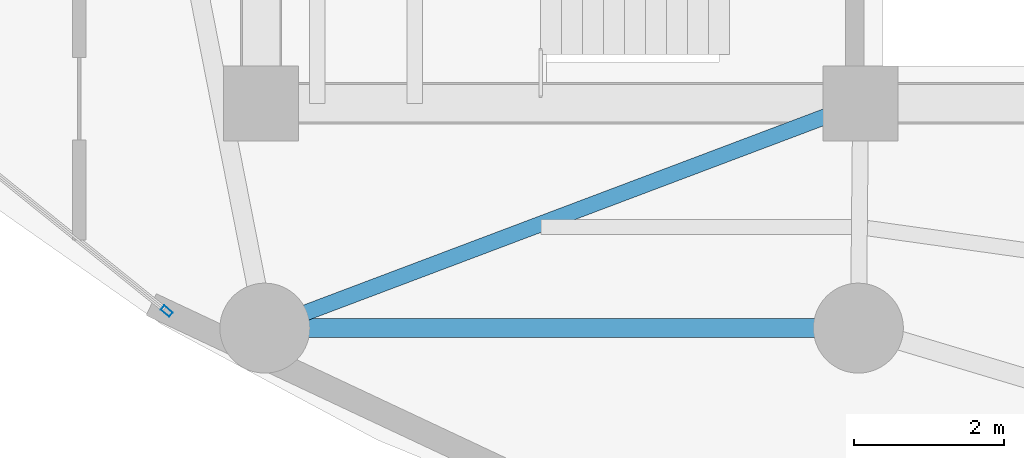
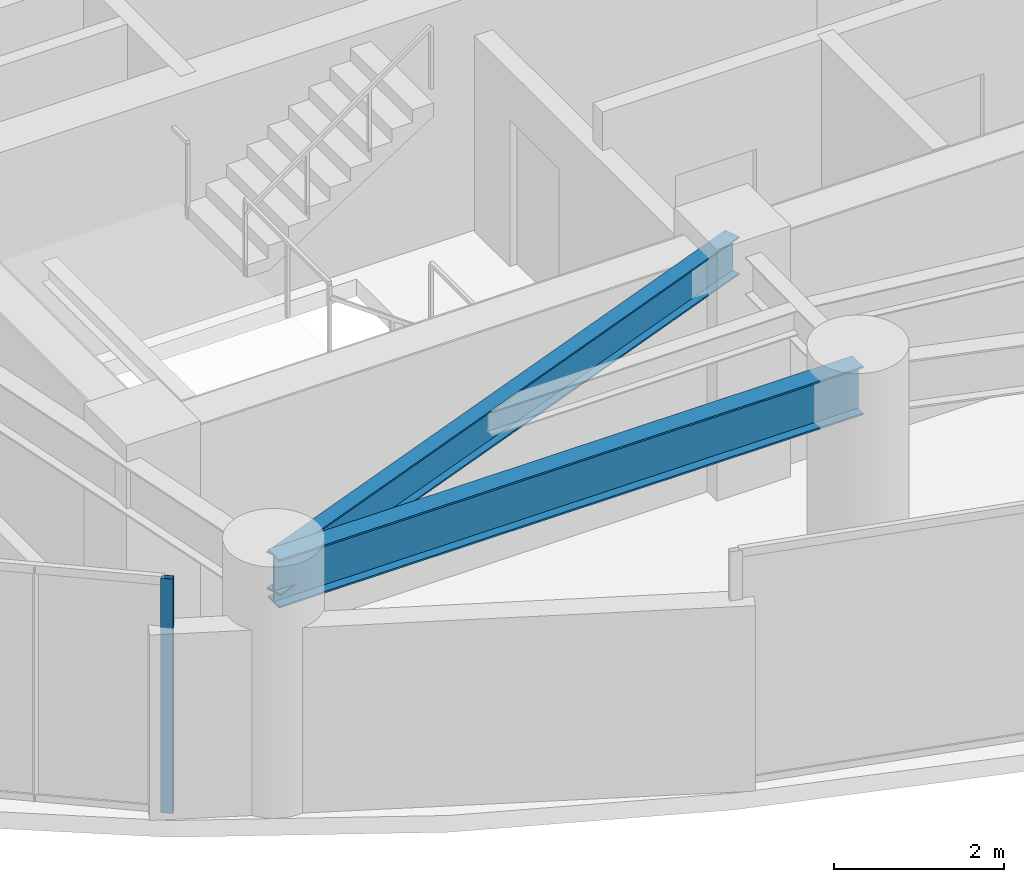
# One storey, part 2 of 34: 2 beams, 1 member, 1 element without a shape of its own.
"""IFC4 building model written with IfcOpenShell, lengths in metres."""

from ifc_helpers import new_model, si_unit, direction, frame, origin, origin_2d, place, context, subcontext, project, spatial, hollow_rectangle, i_section, extrude, material, layer, layer_set, material_profile, profile_set, type_object, element, aggregate, save


model = new_model("IFC4")

# Units and contexts
model_context = context("Model", 3, precision=1e-05, world=origin(), true_north=direction((0.0, 1.0)))
body_context = subcontext(model_context, "Body", "Model", "MODEL_VIEW")
ifc_project = project(units=[si_unit("LENGTHUNIT", "METRE"), si_unit("AREAUNIT", "SQUARE_METRE"), si_unit("VOLUMEUNIT", "CUBIC_METRE"), si_unit("PLANEANGLEUNIT", "RADIAN"), si_unit("MASSUNIT", "GRAM", prefix="KILO")], contexts=[model_context])

# Site, building, storey
site_placement = place(None, origin())
site = spatial("IfcSite", under=ifc_project, at=site_placement, CompositionType="ELEMENT")
building_placement = place(site_placement, origin())
building = spatial("IfcBuilding", under=site, at=building_placement, Name="Kazevale Care Tower and Concert Hall", CompositionType="ELEMENT")
storey_placement = place(building_placement, frame((0.0, 0.0, 174.60009765625)))
storey = spatial("IfcBuildingStorey", under=building, at=storey_placement, Name="L46", CompositionType="ELEMENT", Elevation=174.60009765625)

# Curtain wall, member
ifc_material_1 = material(Name="Aluminium 6063-T6 and Low-E Glass", Category="aluminium")
ifc_layer = layer(ifc_material_1, 0.179931640625)
ifc_layer_set = layer_set([ifc_layer], Name="Aluminium 6063-T6 and Low-E Glass")
curtain_wall_type = type_object("IfcCurtainWallType", Name="Sheltered Concave Balcony Curtain Wall CW-5", PredefinedType="NOTDEFINED", material=ifc_layer_set)
curtain_wall_placement = place(storey_placement, origin())
curtain_wall = element("IfcCurtainWall", 1, at=curtain_wall_placement, inside=storey, type_object=curtain_wall_type, Name="cw:L46:f10", PredefinedType="NOTDEFINED")
ifc_material_2 = material(Name="Aluminium 6063-T6", Category="aluminium")
ifc_material_profile_1 = material_profile(ifc_material_2, hollow_rectangle(XDim=0.074951171875, YDim=0.14990234375, WallThickness=0.00390625, at=origin_2d()), Name="ALU75x150x4")
ifc_profile_set_1 = profile_set([ifc_material_profile_1], Name="Aluminium 6063-T6")
member_type = type_object("IfcMemberType", Name="CW-5 Mullion ALU75x150x4", PredefinedType="MULLION", material=ifc_profile_set_1)
member_placement = place(storey_placement, frame((20.74072265625, 20.826416015625, 0.0), z_axis=(0.0, 0.0, 1.0), x_axis=(-0.626905357502, -0.779095419531, 0.0)))
member = element("IfcMember", 2, at=member_placement, type_object=member_type, Name="CW-5 mullion 1", PredefinedType="MULLION", context=body_context, shape_type="SweptSolid", body=[
    extrude(hollow_rectangle(XDim=0.074951171875, YDim=0.14990234375, WallThickness=0.00390625, at=origin_2d()), origin(), (0.0, 0.0, 1.0), 3.35986328125),
])
aggregate(curtain_wall, [member])

# Beams
ifc_material_3 = material(Name="Steel ASTM A572 Gr 50", Category="steel")
ifc_material_profile_2 = material_profile(ifc_material_3, i_section(OverallWidth=0.2119140625, OverallDepth=0.5439453125, WebThickness=0.01318359375, FlangeThickness=0.021240234375, at=origin_2d()), Name="W530x123")
ifc_profile_set_2 = profile_set([ifc_material_profile_2], Name="Steel ASTM A572 Gr 50")
beam_type_1 = type_object("IfcBeamType", Name="Radial Floor Girder W530x123", PredefinedType="BEAM", material=ifc_profile_set_2)
beam_1_placement = place(storey_placement, frame((30.0, 23.60009765625, 3.087890625), z_axis=(-0.935601002663, -0.353059150592, 0.0), x_axis=(0.353059150592, -0.935601002663, 0.0)))
element("IfcBeam", 3, at=beam_1_placement, inside=storey, type_object=beam_type_1, Name="beam:L46:rad:10", PredefinedType="BEAM", context=body_context, shape_type="SweptSolid", body=[
    extrude(i_section(OverallWidth=0.2119140625, OverallDepth=0.5439453125, WebThickness=0.01318359375, FlangeThickness=0.021240234375, at=origin_2d()), origin(), (0.0, 0.0, 1.0), 8.4970703125),
])
ifc_material_profile_3 = material_profile(ifc_material_3, i_section(OverallWidth=0.256103515625, OverallDepth=0.693115234375, WebThickness=0.014404296875, FlangeThickness=0.023681640625, at=origin_2d()), Name="W690x170")
ifc_profile_set_3 = profile_set([ifc_material_profile_3], Name="Steel ASTM A572 Gr 50")
beam_type_2 = type_object("IfcBeamType", Name="Waist Ring Beam W690x170", PredefinedType="BEAM", material=ifc_profile_set_3)
beam_2_placement = place(storey_placement, frame((22.050048828125, 20.60009765625, 3.013427734375), z_axis=(1.0, 0.0, 0.0), x_axis=(0.0, 1.0, 0.0)))
element("IfcBeam", 4, at=beam_2_placement, inside=storey, type_object=beam_type_2, Name="beam:L46:ring:10", PredefinedType="BEAM", context=body_context, shape_type="SweptSolid", body=[
    extrude(i_section(OverallWidth=0.256103515625, OverallDepth=0.693115234375, WebThickness=0.014404296875, FlangeThickness=0.023681640625, at=origin_2d()), origin(), (0.0, 0.0, 1.0), 7.919921875),
])

save(model, "model.ifc")
